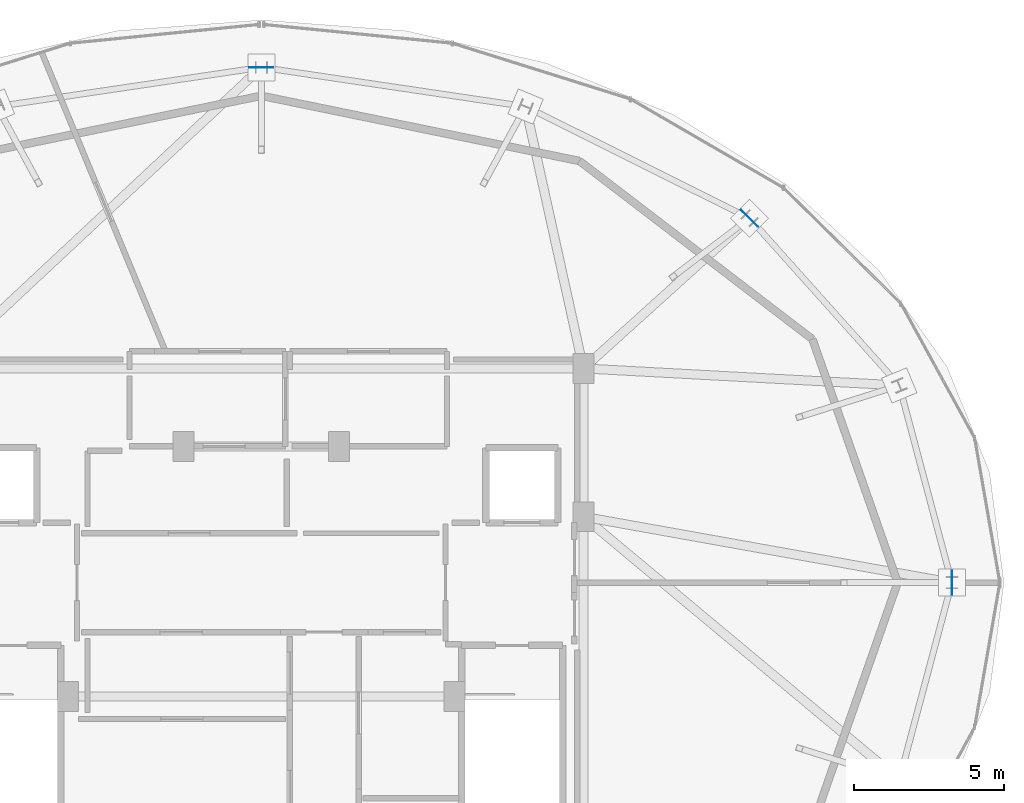
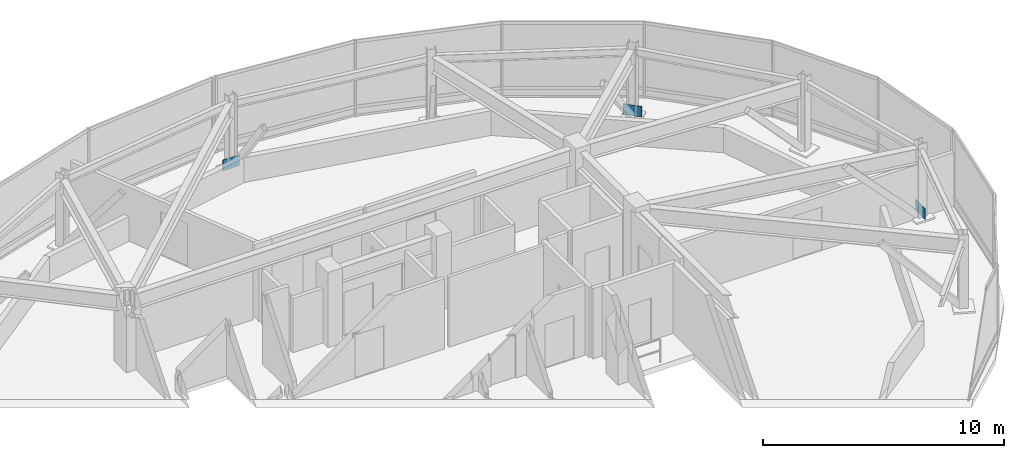
# One storey, part 24 of 28: 3 plates.
"""IFC4 building model written with IfcOpenShell, lengths in metres."""

from ifc_helpers import new_model, si_unit, direction, frame, origin, origin_2d, place, context, subcontext, project, spatial, rectangle, extrude, material, layer, layer_set, type_object, element, save


model = new_model("IFC4")

# Units and contexts
model_context = context("Model", 3, precision=1e-05, world=origin(), true_north=direction((0.0, 1.0)))
body_context = subcontext(model_context, "Body", "Model", "MODEL_VIEW")
ifc_project = project(units=[si_unit("LENGTHUNIT", "METRE"), si_unit("AREAUNIT", "SQUARE_METRE"), si_unit("VOLUMEUNIT", "CUBIC_METRE"), si_unit("PLANEANGLEUNIT", "RADIAN"), si_unit("MASSUNIT", "GRAM", prefix="KILO")], contexts=[model_context])

# Site, building, storey
site_placement = place(None, origin())
site = spatial("IfcSite", under=ifc_project, at=site_placement, CompositionType="ELEMENT")
building_placement = place(site_placement, origin())
building = spatial("IfcBuilding", under=site, at=building_placement, Name="Vorneva Point Tower", CompositionType="ELEMENT")
storey_placement = place(building_placement, frame((0.0, 0.0, 295.39990234375)))
storey = spatial("IfcBuildingStorey", under=building, at=storey_placement, Name="C01", CompositionType="ELEMENT", Elevation=295.39990234375)

# Plates
ifc_material = material(Name="Steel S355", Category="steel")
ifc_layer = layer(ifc_material, 0.02001953125)
ifc_layer_set = layer_set([ifc_layer], Name="Steel S355")
plate_type = type_object("IfcPlateType", Name="PLT-SHT-20", PredefinedType="SHEET", material=ifc_layer_set)
for number, where, z_axis, x_axis, name in (
    (1, (61.050048828125, 26.0, 0.0751953125), (0.0, 0.0, 1.0), (0.0, 1.0, 0.0), "Crown Rib Base Stiffener Sheet 01"),
    (2, (54.298828125, 38.162109375, 0.0751953125), (0.0, 0.0, 1.0), (-0.707106781187, 0.707106781187, 0.0), "Crown Rib Base Stiffener Sheet 03"),
    (3, (38.0, 43.199951171875, 0.0751953125), (0.0, 0.0, 1.0), (-1.0, 0.0, 0.0), "Crown Rib Base Stiffener Sheet 05"),
):
    element("IfcPlate", number, at=place(storey_placement, frame(where, z_axis=z_axis, x_axis=x_axis)), inside=storey, type_object=plate_type, Name=name, PredefinedType="SHEET", context=body_context, shape_type="SweptSolid", body=[
        extrude(rectangle(XDim=0.800048828125, YDim=0.02001953125, at=origin_2d()), origin(), (0.0, 0.0, 1.0), 0.550048828125),
    ])

save(model, "model.ifc")
